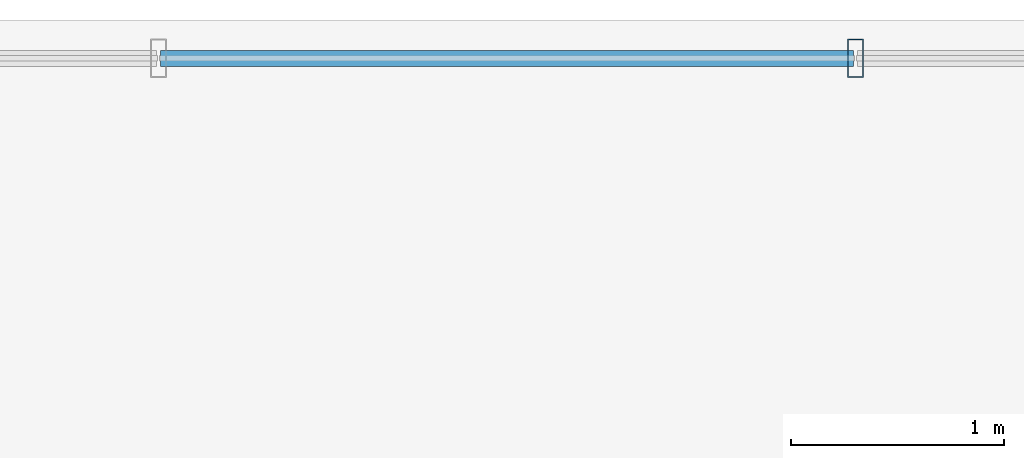
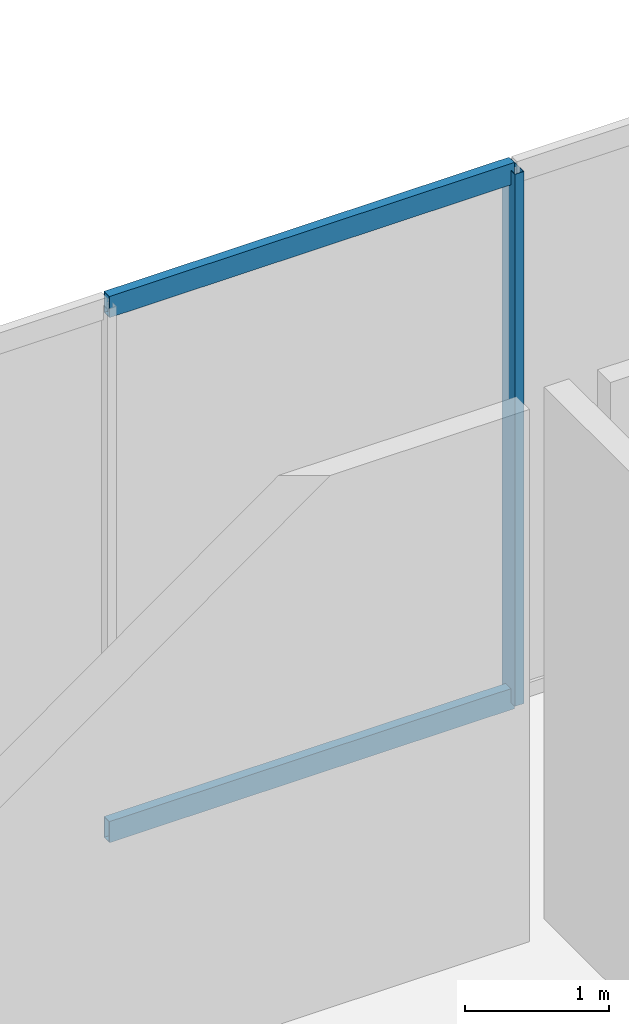
# One storey, part 5 of 16: 3 members, 1 element without a shape of its own.
"""IFC4 building model written with IfcOpenShell, lengths in metres."""

import ifcopenshell
import ifcopenshell.guid

model = None  # the IFC model being written
_history = None  # IfcOwnerHistory: only IFC2X3 demands one
_inside = {}  # id of a spatial element -> (the spatial element, [elements in it])
_under = {}  # id of a project, library or spatial element -> (it, [spatial elements below it])
_declared = {}  # id of a project -> (the project, [libraries it declares])
_typed = {}  # id of a type object -> (the type object, [elements of that type])
_made_of = {}  # id of a material, layer set ... -> (it, [elements and type objects made of it])


def new_model(schema):
    """Start an empty IFC model of exactly this schema.

    Asked for "IFC4X3", IfcOpenShell would pick the latest addendum, in which some entities
    have other attributes; the version numbers below select the first issue.
    IFC2X3 requires an IfcOwnerHistory on every rooted entity: one is made here for all.
    """
    global model, _history
    if schema == "IFC4X3":
        model = ifcopenshell.file(schema_version=(4, 3, 0, 0))
    else:
        model = ifcopenshell.file(schema=schema)
    _inside.clear()
    _under.clear()
    _declared.clear()
    _typed.clear()
    _made_of.clear()
    _history = None
    if model.schema == "IFC2X3":
        org = make("IfcOrganization", Name="unknown")
        user = make(
            "IfcPersonAndOrganization",
            ThePerson=make("IfcPerson", FamilyName="unknown"),
            TheOrganization=org,
        )
        app = make(
            "IfcApplication",
            ApplicationDeveloper=org,
            Version="unknown",
            ApplicationFullName="unknown",
            ApplicationIdentifier="unknown",
        )
        _history = make(
            "IfcOwnerHistory",
            OwningUser=user,
            OwningApplication=app,
            ChangeAction="ADDED",
            CreationDate=0,
        )
    return model


def make(cls, **values):
    """One entity of the class cls with the attributes given. An attribute that is None is left unset."""
    return model.create_entity(
        cls, **{name: value for name, value in values.items() if value is not None}
    )


def rooted(cls, **values):
    """An entity with a GlobalId (a new one), such as an element, a storey or a relation."""
    return make(cls, GlobalId=ifcopenshell.guid.new(), OwnerHistory=_history, **values)


def si_unit(unit_type, name, prefix=None):
    """IfcSIUnit, for example si_unit("LENGTHUNIT", "METRE", prefix="MILLI")."""
    return make("IfcSIUnit", UnitType=unit_type, Prefix=prefix, Name=name)


def assignment(units):
    """IfcUnitAssignment: the units of a project."""
    return None if units is None else make("IfcUnitAssignment", Units=units)


def point(xyz):
    """IfcCartesianPoint."""
    return None if xyz is None else make("IfcCartesianPoint", Coordinates=xyz)


def direction(xyz):
    """IfcDirection."""
    return None if xyz is None else make("IfcDirection", DirectionRatios=xyz)


def frame(location, z_axis=None, x_axis=None):
    """IfcAxis2Placement3D, a coordinate frame: its origin and axes. An axis left out is left unset."""
    return make(
        "IfcAxis2Placement3D",
        Location=point(location),
        Axis=direction(z_axis),
        RefDirection=direction(x_axis),
    )


def frame_2d(location, x_axis=None):
    """IfcAxis2Placement2D, a coordinate frame in the plane: its origin and x axis."""
    return make(
        "IfcAxis2Placement2D", Location=point(location), RefDirection=direction(x_axis)
    )


def origin():
    """The frame at (0, 0, 0) with its axes left unset."""
    return frame((0.0, 0.0, 0.0))


def origin_2d():
    """The frame at (0, 0) in the plane with its x axis left unset."""
    return frame_2d((0.0, 0.0))


def place(relative_to, where):
    """IfcLocalPlacement: puts the frame where relative to a parent placement (None: the world)."""
    return make(
        "IfcLocalPlacement", PlacementRelTo=relative_to, RelativePlacement=where
    )


def context(
    kind, dimensions, precision=None, world=None, true_north=None, identifier=None
):
    """IfcGeometricRepresentationContext, for example the 3D "Model" context."""
    return make(
        "IfcGeometricRepresentationContext",
        ContextIdentifier=identifier,
        ContextType=kind,
        CoordinateSpaceDimension=dimensions,
        Precision=precision,
        WorldCoordinateSystem=world,
        TrueNorth=true_north,
    )


def subcontext(parent, identifier, kind, view, scale=None):
    """IfcGeometricRepresentationSubContext, for example "Body" below "Model"."""
    return make(
        "IfcGeometricRepresentationSubContext",
        ContextIdentifier=identifier,
        ContextType=kind,
        ParentContext=parent,
        TargetScale=scale,
        TargetView=view,
    )


def project(units=None, contexts=None):
    """IfcProject with its units and contexts."""
    return rooted(
        "IfcProject",
        Name="project",
        RepresentationContexts=contexts,
        UnitsInContext=assignment(units),
    )


def spatial(cls, under=None, at=None, **own):
    """A site, building, storey or space (cls), placed at a placement, below another one or the project."""
    s = rooted(cls, ObjectPlacement=at, **own)
    if under is not None:
        _under.setdefault(under.id(), (under, []))[1].append(s)
    return s


def profile(cls, at=None, kind="AREA", **sizes):
    """A parametric profile (cls). Its sizes go by their IFC names, for example OverallWidth=200.0."""
    return make(cls, ProfileType=kind, Position=at, **sizes)


def hollow_rectangle(**sizes):
    """IfcRectangleHollowProfileDef."""
    return profile("IfcRectangleHollowProfileDef", **sizes)


def extrude(swept, where, along, depth):
    """IfcExtrudedAreaSolid: the profile swept, set in the frame where, extruded along a direction by depth."""
    return make(
        "IfcExtrudedAreaSolid",
        SweptArea=swept,
        Position=where,
        ExtrudedDirection=direction(along),
        Depth=depth,
    )


def shape(context_of_items, identifier, shape_type, items):
    """IfcShapeRepresentation: the items that make up one representation, for example the "Body"."""
    return make(
        "IfcShapeRepresentation",
        ContextOfItems=context_of_items,
        RepresentationIdentifier=identifier,
        RepresentationType=shape_type,
        Items=items,
    )


def material(Name=None, Category=None):
    """IfcMaterial."""
    return make("IfcMaterial", Name=Name, Category=Category)


def material_profile(
    of_material, cross_section, Name=None, Category=None, Priority=None
):
    """IfcMaterialProfile: a cross section and its material."""
    return make(
        "IfcMaterialProfile",
        Name=Name,
        Material=of_material,
        Profile=cross_section,
        Priority=Priority,
        Category=Category,
    )


def profile_set(profiles, Name=None, composite=None):
    """IfcMaterialProfileSet."""
    return make(
        "IfcMaterialProfileSet",
        Name=Name,
        MaterialProfiles=profiles,
        CompositeProfile=composite,
    )


def made_of(thing, what):
    """Note that an element or type object is made of a material, layer set ...; save() writes the relation."""
    if what is not None:
        _made_of.setdefault(what.id(), (what, []))[1].append(thing)
    return thing


def type_object(cls, material=None, **own):
    """A type object (cls), such as IfcWallType, which elements share."""
    return made_of(rooted(cls, **own), material)


def element(
    cls,
    number,
    at=None,
    inside=None,
    cuts=None,
    type_object=None,
    material=None,
    context=None,
    identifier="Body",
    shape_type=None,
    held_by="IfcProductDefinitionShape",
    body=None,
    shapes=None,
    **own,
):
    """One element of the class cls, such as IfcWall. Its Tag is "e" and its number.

    at: its placement. inside: the storey or other place that contains it. cuts: it is an
    opening in that element (IfcRelVoidsElement). A single representation is given by context,
    identifier, shape_type and body (its items); several are given by shapes. held_by: the class
    of the entity that holds the representations. save() writes the other relations.
    """
    e = rooted(cls, Tag="e%d" % number, ObjectPlacement=at, **own)
    if body is not None:
        shapes = [shape(context, identifier, shape_type, body)]
    if shapes is not None:
        e.Representation = make(held_by, Representations=shapes)
    if inside is not None:
        _inside.setdefault(inside.id(), (inside, []))[1].append(e)
    if cuts is not None:
        rooted(
            "IfcRelVoidsElement", RelatingBuildingElement=cuts, RelatedOpeningElement=e
        )
    if type_object is not None:
        _typed.setdefault(type_object.id(), (type_object, []))[1].append(e)
    return made_of(e, material)


def aggregate(whole, parts):
    """IfcRelAggregates: a whole, such as a stair, and the parts it consists of."""
    return rooted("IfcRelAggregates", RelatingObject=whole, RelatedObjects=parts)


def save(model, path):
    """Write the relations noted so far, then the file.

    IfcRelAggregates (storeys below a building ...), IfcRelContainedInSpatialStructure (elements
    in a storey), IfcRelDefinesByType, IfcRelAssociatesMaterial and IfcRelDeclares: one each for
    every whole, place, type object, material and project.
    """
    for whole, parts in _under.values():
        aggregate(whole, parts)
    for where, things in _inside.values():
        rooted(
            "IfcRelContainedInSpatialStructure",
            RelatedElements=things,
            RelatingStructure=where,
        )
    for kind, things in _typed.values():
        rooted("IfcRelDefinesByType", RelatedObjects=things, RelatingType=kind)
    for what, things in _made_of.values():
        rooted("IfcRelAssociatesMaterial", RelatedObjects=things, RelatingMaterial=what)
    for by, libraries in _declared.values():
        rooted("IfcRelDeclares", RelatingContext=by, RelatedDefinitions=libraries)
    model.write(path)


model = new_model("IFC4")

# Units and contexts
model_context = context("Model", 3, precision=1e-05, world=origin(), true_north=direction((0.0, 1.0)))
body_context = subcontext(model_context, "Body", "Model", "MODEL_VIEW")
ifc_project = project(units=[si_unit("LENGTHUNIT", "METRE"), si_unit("AREAUNIT", "SQUARE_METRE"), si_unit("VOLUMEUNIT", "CUBIC_METRE"), si_unit("PLANEANGLEUNIT", "RADIAN"), si_unit("MASSUNIT", "GRAM", prefix="KILO")], contexts=[model_context])

# Site, building, storey
site_placement = place(None, origin())
site = spatial("IfcSite", under=ifc_project, at=site_placement, CompositionType="ELEMENT")
building_placement = place(site_placement, origin())
building = spatial("IfcBuilding", under=site, at=building_placement, Name="Ventersveld Concourse Tower", CompositionType="ELEMENT")
storey_placement = place(building_placement, frame((0.0, 0.0, 10.199951171875)))
storey = spatial("IfcBuildingStorey", under=building, at=storey_placement, Name="L02", CompositionType="ELEMENT", Elevation=10.199951171875)

# Curtain wall, members
ifc_material = material(Name="Anodised aluminium EN AW-6063-T6", Category="aluminium")
curtain_wall_type = type_object("IfcCurtainWallType", Name="CW-POD-2", PredefinedType="NOTDEFINED", material=ifc_material)
curtain_wall_placement = place(storey_placement, origin())
curtain_wall = element("IfcCurtainWall", 1, at=curtain_wall_placement, inside=storey, type_object=curtain_wall_type, Name="L02 L02 Podium Gallery Curtain Wall 2", PredefinedType="NOTDEFINED")
ifc_material_profile_1 = material_profile(ifc_material, hollow_rectangle(XDim=0.074951171875, YDim=0.179931640625, WallThickness=0.00390625, at=origin_2d()), Name="ALU 180x75x4")
ifc_profile_set_1 = profile_set([ifc_material_profile_1], Name="Anodised aluminium EN AW-6063-T6")
member_type_1 = type_object("IfcMemberType", Name="CWM-180x75", PredefinedType="MULLION", material=ifc_profile_set_1)
member_1_placement = place(storey_placement, frame((21.25, 49.52001953125, 0.0), z_axis=(0.0, 0.0, 1.0), x_axis=(1.0, 0.0, 0.0)))
member_1 = element("IfcMember", 2, at=member_1_placement, type_object=member_type_1, Name="CW-L02-N2 Mullion 03", PredefinedType="MULLION", context=body_context, shape_type="SweptSolid", body=[
    extrude(hollow_rectangle(XDim=0.074951171875, YDim=0.179931640625, WallThickness=0.00390625, at=origin_2d()), origin(), (0.0, 0.0, 1.0), 4.52001953125),
])
ifc_material_profile_2 = material_profile(ifc_material, hollow_rectangle(XDim=0.074951171875, YDim=0.179931640625, WallThickness=0.00390625, at=origin_2d()), Name="ALU 180x75x4")
ifc_profile_set_2 = profile_set([ifc_material_profile_2], Name="Anodised aluminium EN AW-6063-T6")
member_type_2 = type_object("IfcMemberType", Name="CWT-180x75", PredefinedType="USERDEFINED", material=ifc_profile_set_2)
member_2_placement = place(storey_placement, frame((17.985107421875, 49.52001953125, 0.030029296875), z_axis=(1.0, 0.0, 0.0), x_axis=(0.0, 1.0, 0.0)))
member_2 = element("IfcMember", 3, at=member_2_placement, type_object=member_type_2, Name="CW-L02-N2 Transom 1-02", ObjectType="TRANSOM", PredefinedType="USERDEFINED", context=body_context, shape_type="SweptSolid", body=[
    extrude(hollow_rectangle(XDim=0.074951171875, YDim=0.179931640625, WallThickness=0.00390625, at=origin_2d()), origin(), (0.0, 0.0, 1.0), 3.2548828125),
])
member_3_placement = place(storey_placement, frame((17.985107421875, 49.52001953125, 4.489990234375), z_axis=(1.0, 0.0, 0.0), x_axis=(0.0, 1.0, 0.0)))
member_3 = element("IfcMember", 4, at=member_3_placement, type_object=member_type_2, Name="CW-L02-N2 Transom 2-02", ObjectType="TRANSOM", PredefinedType="USERDEFINED", context=body_context, shape_type="SweptSolid", body=[
    extrude(hollow_rectangle(XDim=0.074951171875, YDim=0.179931640625, WallThickness=0.00390625, at=origin_2d()), origin(), (0.0, 0.0, 1.0), 3.2548828125),
])
aggregate(curtain_wall, [member_1, member_2, member_3])

save(model, "model.ifc")
